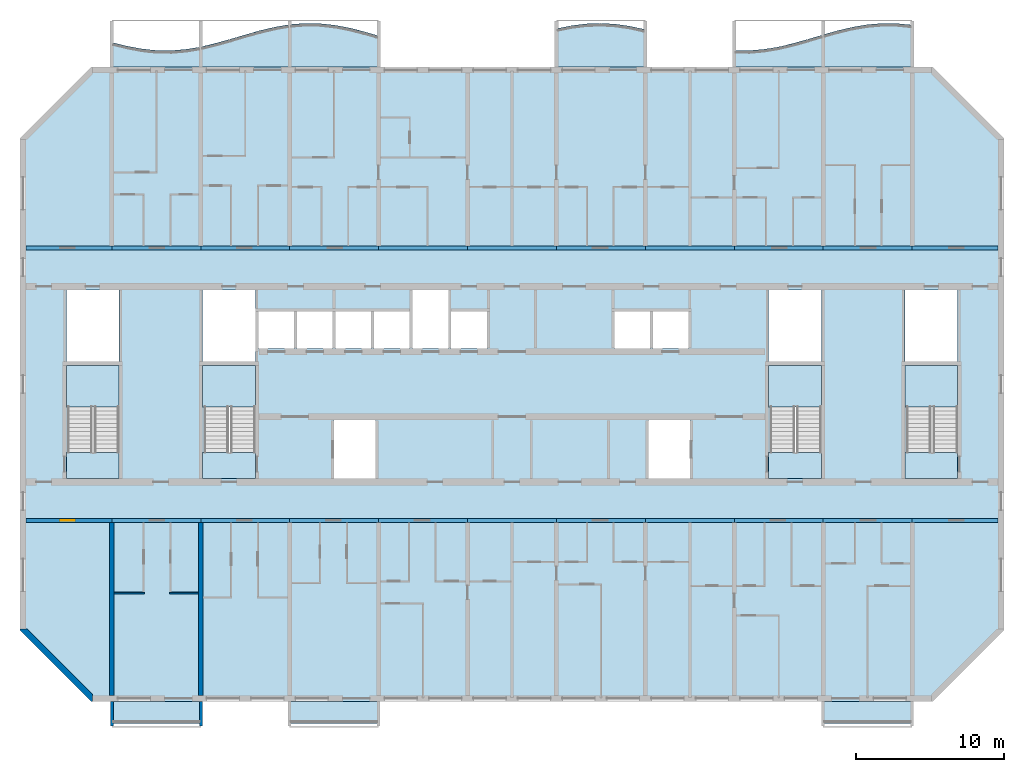
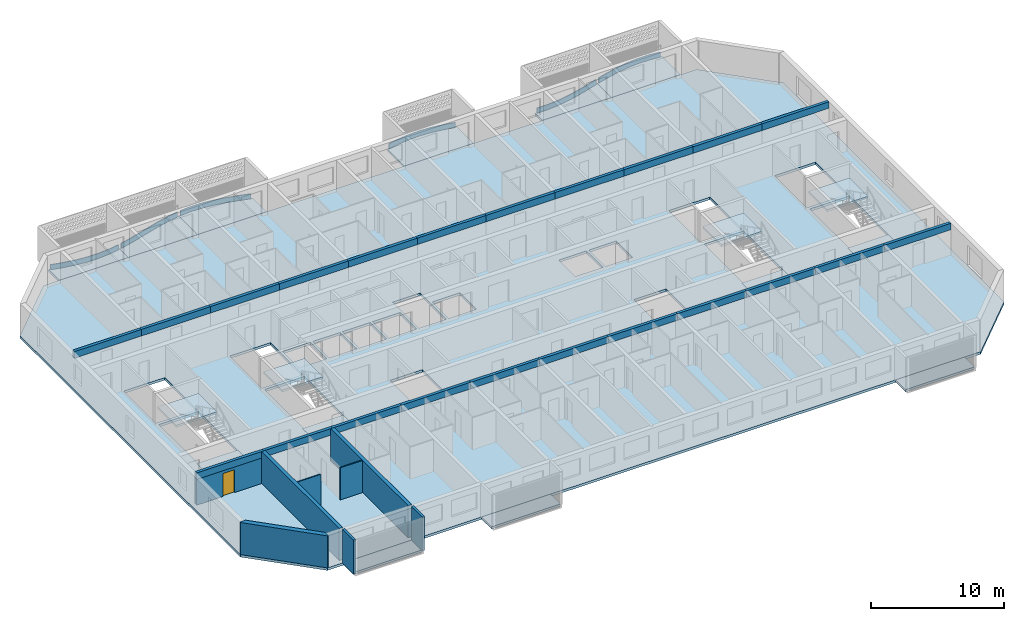
# One storey, part 1 of 26: 22 beams, 18 slabs, 8 walls, 6 plates, 1 door, 1 opening, 4 elements without a shape of their own.
"""IFC4 building model written with IfcOpenShell, lengths in metres."""

import ifcopenshell
import ifcopenshell.guid

model = None  # the IFC model being written
_history = None  # IfcOwnerHistory: only IFC2X3 demands one
_inside = {}  # id of a spatial element -> (the spatial element, [elements in it])
_under = {}  # id of a project, library or spatial element -> (it, [spatial elements below it])
_declared = {}  # id of a project -> (the project, [libraries it declares])
_typed = {}  # id of a type object -> (the type object, [elements of that type])
_made_of = {}  # id of a material, layer set ... -> (it, [elements and type objects made of it])


def new_model(schema):
    """Start an empty IFC model of exactly this schema.

    Asked for "IFC4X3", IfcOpenShell would pick the latest addendum, in which some entities
    have other attributes; the version numbers below select the first issue.
    IFC2X3 requires an IfcOwnerHistory on every rooted entity: one is made here for all.
    """
    global model, _history
    if schema == "IFC4X3":
        model = ifcopenshell.file(schema_version=(4, 3, 0, 0))
    else:
        model = ifcopenshell.file(schema=schema)
    _inside.clear()
    _under.clear()
    _declared.clear()
    _typed.clear()
    _made_of.clear()
    _history = None
    if model.schema == "IFC2X3":
        org = make("IfcOrganization", Name="unknown")
        user = make(
            "IfcPersonAndOrganization",
            ThePerson=make("IfcPerson", FamilyName="unknown"),
            TheOrganization=org,
        )
        app = make(
            "IfcApplication",
            ApplicationDeveloper=org,
            Version="unknown",
            ApplicationFullName="unknown",
            ApplicationIdentifier="unknown",
        )
        _history = make(
            "IfcOwnerHistory",
            OwningUser=user,
            OwningApplication=app,
            ChangeAction="ADDED",
            CreationDate=0,
        )
    return model


def make(cls, **values):
    """One entity of the class cls with the attributes given. An attribute that is None is left unset."""
    return model.create_entity(
        cls, **{name: value for name, value in values.items() if value is not None}
    )


def rooted(cls, **values):
    """An entity with a GlobalId (a new one), such as an element, a storey or a relation."""
    return make(cls, GlobalId=ifcopenshell.guid.new(), OwnerHistory=_history, **values)


def si_unit(unit_type, name, prefix=None):
    """IfcSIUnit, for example si_unit("LENGTHUNIT", "METRE", prefix="MILLI")."""
    return make("IfcSIUnit", UnitType=unit_type, Prefix=prefix, Name=name)


def assignment(units):
    """IfcUnitAssignment: the units of a project."""
    return None if units is None else make("IfcUnitAssignment", Units=units)


def point(xyz):
    """IfcCartesianPoint."""
    return None if xyz is None else make("IfcCartesianPoint", Coordinates=xyz)


def direction(xyz):
    """IfcDirection."""
    return None if xyz is None else make("IfcDirection", DirectionRatios=xyz)


def frame(location, z_axis=None, x_axis=None):
    """IfcAxis2Placement3D, a coordinate frame: its origin and axes. An axis left out is left unset."""
    return make(
        "IfcAxis2Placement3D",
        Location=point(location),
        Axis=direction(z_axis),
        RefDirection=direction(x_axis),
    )


def frame_2d(location, x_axis=None):
    """IfcAxis2Placement2D, a coordinate frame in the plane: its origin and x axis."""
    return make(
        "IfcAxis2Placement2D", Location=point(location), RefDirection=direction(x_axis)
    )


def origin():
    """The frame at (0, 0, 0) with its axes left unset."""
    return frame((0.0, 0.0, 0.0))


def origin_2d():
    """The frame at (0, 0) in the plane with its x axis left unset."""
    return frame_2d((0.0, 0.0))


def place(relative_to, where):
    """IfcLocalPlacement: puts the frame where relative to a parent placement (None: the world)."""
    return make(
        "IfcLocalPlacement", PlacementRelTo=relative_to, RelativePlacement=where
    )


def context(
    kind, dimensions, precision=None, world=None, true_north=None, identifier=None
):
    """IfcGeometricRepresentationContext, for example the 3D "Model" context."""
    return make(
        "IfcGeometricRepresentationContext",
        ContextIdentifier=identifier,
        ContextType=kind,
        CoordinateSpaceDimension=dimensions,
        Precision=precision,
        WorldCoordinateSystem=world,
        TrueNorth=true_north,
    )


def subcontext(parent, identifier, kind, view, scale=None):
    """IfcGeometricRepresentationSubContext, for example "Body" below "Model"."""
    return make(
        "IfcGeometricRepresentationSubContext",
        ContextIdentifier=identifier,
        ContextType=kind,
        ParentContext=parent,
        TargetScale=scale,
        TargetView=view,
    )


def project(units=None, contexts=None):
    """IfcProject with its units and contexts."""
    return rooted(
        "IfcProject",
        Name="project",
        RepresentationContexts=contexts,
        UnitsInContext=assignment(units),
    )


def spatial(cls, under=None, at=None, **own):
    """A site, building, storey or space (cls), placed at a placement, below another one or the project."""
    s = rooted(cls, ObjectPlacement=at, **own)
    if under is not None:
        _under.setdefault(under.id(), (under, []))[1].append(s)
    return s


def polyline(points):
    """IfcPolyline through the points."""
    return make("IfcPolyline", Points=[point(p) for p in points])


def profile(cls, at=None, kind="AREA", **sizes):
    """A parametric profile (cls). Its sizes go by their IFC names, for example OverallWidth=200.0."""
    return make(cls, ProfileType=kind, Position=at, **sizes)


def rectangle(**sizes):
    """IfcRectangleProfileDef."""
    return profile("IfcRectangleProfileDef", **sizes)


def outline(outer, holes=None, kind="AREA"):
    """IfcArbitraryClosedProfileDef: a profile drawn as a closed curve; with holes, ...WithVoids."""
    if holes is None:
        return make("IfcArbitraryClosedProfileDef", ProfileType=kind, OuterCurve=outer)
    return make(
        "IfcArbitraryProfileDefWithVoids",
        ProfileType=kind,
        OuterCurve=outer,
        InnerCurves=holes,
    )


def extrude(swept, where, along, depth):
    """IfcExtrudedAreaSolid: the profile swept, set in the frame where, extruded along a direction by depth."""
    return make(
        "IfcExtrudedAreaSolid",
        SweptArea=swept,
        Position=where,
        ExtrudedDirection=direction(along),
        Depth=depth,
    )


def shape(context_of_items, identifier, shape_type, items):
    """IfcShapeRepresentation: the items that make up one representation, for example the "Body"."""
    return make(
        "IfcShapeRepresentation",
        ContextOfItems=context_of_items,
        RepresentationIdentifier=identifier,
        RepresentationType=shape_type,
        Items=items,
    )


def source(mapping_origin, context_of_items, identifier, shape_type, items):
    """IfcRepresentationMap: a shape defined once, which mapped items show again and again."""
    return make(
        "IfcRepresentationMap",
        MappingOrigin=mapping_origin,
        MappedRepresentation=shape(context_of_items, identifier, shape_type, items),
    )


def transform(
    local_origin,
    x_axis=None,
    y_axis=None,
    z_axis=None,
    scale=None,
    scale2=None,
    scale3=None,
    uniform=True,
):
    """IfcCartesianTransformationOperator3D, or its non-uniform kind. x_axis, y_axis, z_axis: its Axis1, 2, 3."""
    if uniform:
        return make(
            "IfcCartesianTransformationOperator3D",
            Axis1=direction(x_axis),
            Axis2=direction(y_axis),
            LocalOrigin=point(local_origin),
            Scale=scale,
            Axis3=direction(z_axis),
        )
    return make(
        "IfcCartesianTransformationOperator3DnonUniform",
        Axis1=direction(x_axis),
        Axis2=direction(y_axis),
        LocalOrigin=point(local_origin),
        Scale=scale,
        Axis3=direction(z_axis),
        Scale2=scale2,
        Scale3=scale3,
    )


def mapped(mapping_source, mapping_target):
    """IfcMappedItem: shows the shape of a source again, moved by a transform."""
    return make(
        "IfcMappedItem", MappingSource=mapping_source, MappingTarget=mapping_target
    )


def material(Name=None, Category=None):
    """IfcMaterial."""
    return make("IfcMaterial", Name=Name, Category=Category)


def layer(
    of_material, thickness, ventilated=None, Name=None, Category=None, Priority=None
):
    """IfcMaterialLayer: one layer of a wall or slab, of a material (None: an air gap)."""
    return make(
        "IfcMaterialLayer",
        Material=of_material,
        LayerThickness=thickness,
        IsVentilated=ventilated,
        Name=Name,
        Category=Category,
        Priority=Priority,
    )


def layer_set(layers, Name=None):
    """IfcMaterialLayerSet."""
    return make("IfcMaterialLayerSet", MaterialLayers=layers, LayerSetName=Name)


def material_profile(
    of_material, cross_section, Name=None, Category=None, Priority=None
):
    """IfcMaterialProfile: a cross section and its material."""
    return make(
        "IfcMaterialProfile",
        Name=Name,
        Material=of_material,
        Profile=cross_section,
        Priority=Priority,
        Category=Category,
    )


def profile_set(profiles, Name=None, composite=None):
    """IfcMaterialProfileSet."""
    return make(
        "IfcMaterialProfileSet",
        Name=Name,
        MaterialProfiles=profiles,
        CompositeProfile=composite,
    )


def made_of(thing, what):
    """Note that an element or type object is made of a material, layer set ...; save() writes the relation."""
    if what is not None:
        _made_of.setdefault(what.id(), (what, []))[1].append(thing)
    return thing


def type_object(cls, material=None, **own):
    """A type object (cls), such as IfcWallType, which elements share."""
    return made_of(rooted(cls, **own), material)


def element(
    cls,
    number,
    at=None,
    inside=None,
    cuts=None,
    type_object=None,
    material=None,
    context=None,
    identifier="Body",
    shape_type=None,
    held_by="IfcProductDefinitionShape",
    body=None,
    shapes=None,
    **own,
):
    """One element of the class cls, such as IfcWall. Its Tag is "e" and its number.

    at: its placement. inside: the storey or other place that contains it. cuts: it is an
    opening in that element (IfcRelVoidsElement). A single representation is given by context,
    identifier, shape_type and body (its items); several are given by shapes. held_by: the class
    of the entity that holds the representations. save() writes the other relations.
    """
    e = rooted(cls, Tag="e%d" % number, ObjectPlacement=at, **own)
    if body is not None:
        shapes = [shape(context, identifier, shape_type, body)]
    if shapes is not None:
        e.Representation = make(held_by, Representations=shapes)
    if inside is not None:
        _inside.setdefault(inside.id(), (inside, []))[1].append(e)
    if cuts is not None:
        rooted(
            "IfcRelVoidsElement", RelatingBuildingElement=cuts, RelatedOpeningElement=e
        )
    if type_object is not None:
        _typed.setdefault(type_object.id(), (type_object, []))[1].append(e)
    return made_of(e, material)


def fill(opening, filler):
    """IfcRelFillsElement: the door or window that sits in an opening."""
    return rooted(
        "IfcRelFillsElement",
        RelatingOpeningElement=opening,
        RelatedBuildingElement=filler,
    )


def aggregate(whole, parts):
    """IfcRelAggregates: a whole, such as a stair, and the parts it consists of."""
    return rooted("IfcRelAggregates", RelatingObject=whole, RelatedObjects=parts)


def save(model, path):
    """Write the relations noted so far, then the file.

    IfcRelAggregates (storeys below a building ...), IfcRelContainedInSpatialStructure (elements
    in a storey), IfcRelDefinesByType, IfcRelAssociatesMaterial and IfcRelDeclares: one each for
    every whole, place, type object, material and project.
    """
    for whole, parts in _under.values():
        aggregate(whole, parts)
    for where, things in _inside.values():
        rooted(
            "IfcRelContainedInSpatialStructure",
            RelatedElements=things,
            RelatingStructure=where,
        )
    for kind, things in _typed.values():
        rooted("IfcRelDefinesByType", RelatedObjects=things, RelatingType=kind)
    for what, things in _made_of.values():
        rooted("IfcRelAssociatesMaterial", RelatedObjects=things, RelatingMaterial=what)
    for by, libraries in _declared.values():
        rooted("IfcRelDeclares", RelatingContext=by, RelatedDefinitions=libraries)
    model.write(path)


model = new_model("IFC4")

# Units and contexts
model_context = context("Model", 3, precision=1e-05, world=origin(), true_north=direction((0.0, 1.0)))
body_context = subcontext(model_context, "Body", "Model", "MODEL_VIEW")
ifc_project = project(units=[si_unit("LENGTHUNIT", "METRE"), si_unit("AREAUNIT", "SQUARE_METRE"), si_unit("VOLUMEUNIT", "CUBIC_METRE"), si_unit("PLANEANGLEUNIT", "RADIAN"), si_unit("MASSUNIT", "GRAM", prefix="KILO")], contexts=[model_context])

# Site, building, storey
site_placement = place(None, origin())
site = spatial("IfcSite", under=ifc_project, at=site_placement, CompositionType="ELEMENT")
building_placement = place(site_placement, origin())
building = spatial("IfcBuilding", under=site, at=building_placement, Name="Poui Terraces", CompositionType="ELEMENT")
storey_placement = place(building_placement, frame((0.0, 0.0, 162.0)))
storey = spatial("IfcBuildingStorey", under=building, at=storey_placement, Name="L45", CompositionType="ELEMENT", Elevation=162.0)

# Beams
ifc_material_1 = material(Name="Concrete 65 MPa", Category="concrete")
ifc_material_profile = material_profile(ifc_material_1, rectangle(XDim=0.25, YDim=0.60009765625, at=origin_2d()), Name="RC 250x600")
ifc_profile_set = profile_set([ifc_material_profile], Name="Concrete 65 MPa")
beam_type = type_object("IfcBeamType", Name="COUPLING BEAM 250x600 65MPa", PredefinedType="BEAM", material=ifc_profile_set)
shared_shape_1 = source(origin(), body_context, "Body", "SweptSolid", [
    extrude(rectangle(XDim=0.25, YDim=0.60009765625, at=origin_2d()), origin(), (0.0, 0.0, 1.0), 5.800048828125),
])
for number, where, z_axis, x_axis, name in (
    (1, (18.199951171875, 12.0, 2.64990234375), (1.0, 0.0, 0.0), (0.0, 1.0, 0.0), "COUPLING BEAM LINE B BAY 1"),
    (2, (78.0, 12.0, 2.64990234375), (1.0, 0.0, 0.0), (0.0, 1.0, 0.0), "COUPLING BEAM LINE B BAY 11"),
    (3, (18.199951171875, 30.39990234375, 2.64990234375), (1.0, 0.0, 0.0), (0.0, 1.0, 0.0), "COUPLING BEAM LINE E BAY 1"),
    (4, (78.0, 30.39990234375, 2.64990234375), (1.0, 0.0, 0.0), (0.0, 1.0, 0.0), "COUPLING BEAM LINE E BAY 11"),
):
    element("IfcBeam", number, at=place(storey_placement, frame(where, z_axis=z_axis, x_axis=x_axis)), inside=storey, type_object=beam_type, Name=name, PredefinedType="BEAM", context=body_context, shape_type="MappedRepresentation", body=[
        mapped(shared_shape_1, transform((0.0, 0.0, 0.0))),
    ])
shared_shape_2 = source(origin(), body_context, "Body", "SweptSolid", [
    extrude(rectangle(XDim=0.25, YDim=0.60009765625, at=origin_2d()), origin(), (0.0, 0.0, 1.0), 6.0),
])
for number, where, z_axis, x_axis, name in (
    (5, (24.0, 12.0, 2.64990234375), (1.0, 0.0, 0.0), (0.0, 1.0, 0.0), "COUPLING BEAM LINE B BAY 2"),
    (6, (30.0, 12.0, 2.64990234375), (1.0, 0.0, 0.0), (0.0, 1.0, 0.0), "COUPLING BEAM LINE B BAY 3"),
    (7, (36.0, 12.0, 2.64990234375), (1.0, 0.0, 0.0), (0.0, 1.0, 0.0), "COUPLING BEAM LINE B BAY 4"),
    (8, (42.0, 12.0, 2.64990234375), (1.0, 0.0, 0.0), (0.0, 1.0, 0.0), "COUPLING BEAM LINE B BAY 5"),
    (9, (48.0, 12.0, 2.64990234375), (1.0, 0.0, 0.0), (0.0, 1.0, 0.0), "COUPLING BEAM LINE B BAY 6"),
    (10, (54.0, 12.0, 2.64990234375), (1.0, 0.0, 0.0), (0.0, 1.0, 0.0), "COUPLING BEAM LINE B BAY 7"),
    (11, (60.0, 12.0, 2.64990234375), (1.0, 0.0, 0.0), (0.0, 1.0, 0.0), "COUPLING BEAM LINE B BAY 8"),
    (12, (66.0, 12.0, 2.64990234375), (1.0, 0.0, 0.0), (0.0, 1.0, 0.0), "COUPLING BEAM LINE B BAY 9"),
    (13, (72.0, 12.0, 2.64990234375), (1.0, 0.0, 0.0), (0.0, 1.0, 0.0), "COUPLING BEAM LINE B BAY 10"),
    (14, (24.0, 30.39990234375, 2.64990234375), (1.0, 0.0, 0.0), (0.0, 1.0, 0.0), "COUPLING BEAM LINE E BAY 2"),
    (15, (30.0, 30.39990234375, 2.64990234375), (1.0, 0.0, 0.0), (0.0, 1.0, 0.0), "COUPLING BEAM LINE E BAY 3"),
    (16, (36.0, 30.39990234375, 2.64990234375), (1.0, 0.0, 0.0), (0.0, 1.0, 0.0), "COUPLING BEAM LINE E BAY 4"),
    (17, (42.0, 30.39990234375, 2.64990234375), (1.0, 0.0, 0.0), (0.0, 1.0, 0.0), "COUPLING BEAM LINE E BAY 5"),
    (18, (48.0, 30.39990234375, 2.64990234375), (1.0, 0.0, 0.0), (0.0, 1.0, 0.0), "COUPLING BEAM LINE E BAY 6"),
    (19, (54.0, 30.39990234375, 2.64990234375), (1.0, 0.0, 0.0), (0.0, 1.0, 0.0), "COUPLING BEAM LINE E BAY 7"),
    (20, (60.0, 30.39990234375, 2.64990234375), (1.0, 0.0, 0.0), (0.0, 1.0, 0.0), "COUPLING BEAM LINE E BAY 8"),
    (21, (66.0, 30.39990234375, 2.64990234375), (1.0, 0.0, 0.0), (0.0, 1.0, 0.0), "COUPLING BEAM LINE E BAY 9"),
    (22, (72.0, 30.39990234375, 2.64990234375), (1.0, 0.0, 0.0), (0.0, 1.0, 0.0), "COUPLING BEAM LINE E BAY 10"),
):
    element("IfcBeam", number, at=place(storey_placement, frame(where, z_axis=z_axis, x_axis=x_axis)), inside=storey, type_object=beam_type, Name=name, PredefinedType="BEAM", context=body_context, shape_type="MappedRepresentation", body=[
        mapped(shared_shape_2, transform((0.0, 0.0, 0.0))),
    ])

# Slabs
ifc_material_2 = material(Name="Precast concrete 40 MPa", Category="concrete")
ifc_layer_1 = layer(ifc_material_2, 0.199951171875)
ifc_layer_set_1 = layer_set([ifc_layer_1], Name="Precast concrete 40 MPa")
slab_type_1 = type_object("IfcSlabType", Name="BALCONY SLAB 200", PredefinedType="FLOOR", material=ifc_layer_set_1)
slab_1_placement = place(storey_placement, frame((0.0, 0.0, -0.2001953125)))
element("IfcSlab", 23, at=slab_1_placement, inside=storey, type_object=slab_type_1, Name="BALCONY SLAB", PredefinedType="FLOOR", context=body_context, shape_type="SweptSolid", body=[
    extrude(outline(polyline([(24.0, 42.60009765625), (30.0, 42.60009765625), (30.0, 43.9580078125), (29.0, 43.789306640625), (28.0, 43.706787109375), (27.0, 43.71875), (26.0, 43.823974609375), (25.0, 44.01171875), (24.0, 44.262451171875), (24.0, 42.60009765625)])), origin(), (0.0, 0.0, 1.0), 0.2001953125),
])
slab_2_placement = place(storey_placement, frame((0.0, 0.0, -0.2001953125)))
element("IfcSlab", 24, at=slab_2_placement, inside=storey, type_object=slab_type_1, Name="BALCONY SLAB", PredefinedType="FLOOR", context=body_context, shape_type="SweptSolid", body=[
    extrude(outline(polyline([(30.0, 42.60009765625), (36.0, 42.60009765625), (36.0, 45.460693359375), (35.0, 45.2919921875), (34.0, 45.054931640625), (33.0, 44.7734375), (32.0, 44.4765625), (31.0, 44.195068359375), (30.0, 43.9580078125), (30.0, 42.60009765625)])), origin(), (0.0, 0.0, 1.0), 0.2001953125),
])
slab_3_placement = place(storey_placement, frame((0.0, 0.0, -0.2001953125)))
element("IfcSlab", 25, at=slab_3_placement, inside=storey, type_object=slab_type_1, Name="BALCONY SLAB", PredefinedType="FLOOR", context=body_context, shape_type="SweptSolid", body=[
    extrude(outline(polyline([(36.0, 42.60009765625), (42.0, 42.60009765625), (42.0, 44.699462890625), (41.0, 44.987548828125), (40.0, 45.23828125), (39.0, 45.426025390625), (38.0, 45.53125), (37.0, 45.543212890625), (36.0, 45.460693359375), (36.0, 42.60009765625)])), origin(), (0.0, 0.0, 1.0), 0.2001953125),
])
slab_4_placement = place(storey_placement, frame((0.0, 0.0, -0.2001953125)))
element("IfcSlab", 26, at=slab_4_placement, inside=storey, type_object=slab_type_1, Name="BALCONY SLAB", PredefinedType="FLOOR", context=body_context, shape_type="SweptSolid", body=[
    extrude(outline(polyline([(54.0, 42.60009765625), (60.0, 42.60009765625), (60.0, 45.119384765625), (59.0, 45.341552734375), (58.0, 45.489990234375), (57.0, 45.54931640625), (56.0, 45.513427734375), (55.0, 45.38623046875), (54.0, 45.1806640625), (54.0, 42.60009765625)])), origin(), (0.0, 0.0, 1.0), 0.2001953125),
])
slab_5_placement = place(storey_placement, frame((0.0, 0.0, -0.2001953125)))
element("IfcSlab", 27, at=slab_5_placement, inside=storey, type_object=slab_type_1, Name="BALCONY SLAB", PredefinedType="FLOOR", context=body_context, shape_type="SweptSolid", body=[
    extrude(outline(polyline([(66.0, 42.60009765625), (72.0, 42.60009765625), (72.0, 44.7734375), (71.0, 44.4765625), (70.0, 44.195068359375), (69.0, 43.9580078125), (68.0, 43.789306640625), (67.0, 43.706787109375), (66.0, 43.71875), (66.0, 42.60009765625)])), origin(), (0.0, 0.0, 1.0), 0.2001953125),
])
slab_6_placement = place(storey_placement, frame((0.0, 0.0, -0.2001953125)))
element("IfcSlab", 28, at=slab_6_placement, inside=storey, type_object=slab_type_1, Name="BALCONY SLAB", PredefinedType="FLOOR", context=body_context, shape_type="SweptSolid", body=[
    extrude(outline(polyline([(72.0, 42.60009765625), (78.0, 42.60009765625), (78.0, 45.426025390625), (77.0, 45.53125), (76.0, 45.543212890625), (75.0, 45.460693359375), (74.0, 45.2919921875), (73.0, 45.054931640625), (72.0, 44.7734375), (72.0, 42.60009765625)])), origin(), (0.0, 0.0, 1.0), 0.2001953125),
])

# Stair, slabs
stair_type = type_object("IfcStairType", Name="EXIT STAIR 1650 65 MPA", PredefinedType="HALF_TURN_STAIR", material=ifc_material_1)
stair_1_placement = place(storey_placement, origin())
stair_1 = element("IfcStair", 29, at=stair_1_placement, inside=storey, type_object=stair_type, Name="L45 CORE STAIR EAST", PredefinedType="HALF_TURN_STAIR")
ifc_layer_2 = layer(ifc_material_1, 0.199951171875)
ifc_layer_set_2 = layer_set([ifc_layer_2], Name="Concrete 65 MPa")
slab_type_2 = type_object("IfcSlabType", Name="STAIR LANDING 200 65 MPA", PredefinedType="LANDING", material=ifc_layer_set_2)
slab_7_placement = place(storey_placement, frame((0.0, 0.0, 1.449951171875)))
slab_7 = element("IfcSlab", 30, at=slab_7_placement, type_object=slab_type_2, Name="ST-CE landing 1", PredefinedType="LANDING", context=body_context, shape_type="SweptSolid", body=[
    extrude(outline(polyline([(68.324951171875, 19.679931640625), (71.875, 19.679931640625), (71.875, 22.47509765625), (68.324951171875, 22.47509765625), (68.324951171875, 19.679931640625)])), origin(), (0.0, 0.0, 1.0), 0.199951171875),
])
slab_8_placement = place(storey_placement, frame((0.0, 0.0, -0.2001953125)))
slab_8 = element("IfcSlab", 31, at=slab_8_placement, type_object=slab_type_2, Name="ST-CE landing 2", PredefinedType="LANDING", context=body_context, shape_type="SweptSolid", body=[
    extrude(outline(polyline([(68.324951171875, 14.824951171875), (71.875, 14.824951171875), (71.875, 16.60009765625), (68.324951171875, 16.60009765625), (68.324951171875, 14.824951171875)])), origin(), (0.0, 0.0, 1.0), 0.2001953125),
])
aggregate(stair_1, [slab_7, slab_8])

stair_2_placement = place(storey_placement, origin())
stair_2 = element("IfcStair", 32, at=stair_2_placement, inside=storey, type_object=stair_type, Name="L45 CORE STAIR WEST", PredefinedType="HALF_TURN_STAIR")
slab_9_placement = place(storey_placement, frame((0.0, 0.0, 1.449951171875)))
slab_9 = element("IfcSlab", 33, at=slab_9_placement, type_object=slab_type_2, Name="ST-CW landing 1", PredefinedType="LANDING", context=body_context, shape_type="SweptSolid", body=[
    extrude(outline(polyline([(30.125, 19.679931640625), (33.675048828125, 19.679931640625), (33.675048828125, 22.47509765625), (30.125, 22.47509765625), (30.125, 19.679931640625)])), origin(), (0.0, 0.0, 1.0), 0.199951171875),
])
slab_10_placement = place(storey_placement, frame((0.0, 0.0, -0.2001953125)))
slab_10 = element("IfcSlab", 34, at=slab_10_placement, type_object=slab_type_2, Name="ST-CW landing 2", PredefinedType="LANDING", context=body_context, shape_type="SweptSolid", body=[
    extrude(outline(polyline([(30.125, 14.824951171875), (33.675048828125, 14.824951171875), (33.675048828125, 16.60009765625), (30.125, 16.60009765625), (30.125, 14.824951171875)])), origin(), (0.0, 0.0, 1.0), 0.2001953125),
])
aggregate(stair_2, [slab_9, slab_10])

stair_3_placement = place(storey_placement, origin())
stair_3 = element("IfcStair", 35, at=stair_3_placement, inside=storey, type_object=stair_type, Name="L45 TIP STAIR EAST", PredefinedType="HALF_TURN_STAIR")
slab_11_placement = place(storey_placement, frame((0.0, 0.0, 1.449951171875)))
slab_11 = element("IfcSlab", 36, at=slab_11_placement, type_object=slab_type_2, Name="ST-E landing 1", PredefinedType="LANDING", context=body_context, shape_type="SweptSolid", body=[
    extrude(outline(polyline([(77.52490234375, 19.679931640625), (81.074951171875, 19.679931640625), (81.074951171875, 22.47509765625), (77.52490234375, 22.47509765625), (77.52490234375, 19.679931640625)])), origin(), (0.0, 0.0, 1.0), 0.199951171875),
])
slab_12_placement = place(storey_placement, frame((0.0, 0.0, -0.2001953125)))
slab_12 = element("IfcSlab", 37, at=slab_12_placement, type_object=slab_type_2, Name="ST-E landing 2", PredefinedType="LANDING", context=body_context, shape_type="SweptSolid", body=[
    extrude(outline(polyline([(77.52490234375, 14.824951171875), (81.074951171875, 14.824951171875), (81.074951171875, 16.60009765625), (77.52490234375, 16.60009765625), (77.52490234375, 14.824951171875)])), origin(), (0.0, 0.0, 1.0), 0.2001953125),
])
aggregate(stair_3, [slab_11, slab_12])

stair_4_placement = place(storey_placement, origin())
stair_4 = element("IfcStair", 38, at=stair_4_placement, inside=storey, type_object=stair_type, Name="L45 TIP STAIR WEST", PredefinedType="HALF_TURN_STAIR")
slab_13_placement = place(storey_placement, frame((0.0, 0.0, 1.449951171875)))
slab_13 = element("IfcSlab", 39, at=slab_13_placement, type_object=slab_type_2, Name="ST-W landing 1", PredefinedType="LANDING", context=body_context, shape_type="SweptSolid", body=[
    extrude(outline(polyline([(20.925048828125, 19.679931640625), (24.47509765625, 19.679931640625), (24.47509765625, 22.47509765625), (20.925048828125, 22.47509765625), (20.925048828125, 19.679931640625)])), origin(), (0.0, 0.0, 1.0), 0.199951171875),
])
slab_14_placement = place(storey_placement, frame((0.0, 0.0, -0.2001953125)))
slab_14 = element("IfcSlab", 40, at=slab_14_placement, type_object=slab_type_2, Name="ST-W landing 2", PredefinedType="LANDING", context=body_context, shape_type="SweptSolid", body=[
    extrude(outline(polyline([(20.925048828125, 14.824951171875), (24.47509765625, 14.824951171875), (24.47509765625, 16.60009765625), (20.925048828125, 16.60009765625), (20.925048828125, 14.824951171875)])), origin(), (0.0, 0.0, 1.0), 0.2001953125),
])
aggregate(stair_4, [slab_13, slab_14])

# Plates
ifc_layer_3 = layer(ifc_material_2, 0.080078125)
ifc_layer_set_3 = layer_set([ifc_layer_3], Name="Precast concrete 40 MPa")
plate_type = type_object("IfcPlateType", Name="SUNSHADE UPSTAND 80", PredefinedType="SHEET", material=ifc_layer_set_3)
plate_1_placement = place(storey_placement, origin())
element("IfcPlate", 41, at=plate_1_placement, inside=storey, type_object=plate_type, Name="SUNSHADE UPSTAND", PredefinedType="SHEET", context=body_context, shape_type="SweptSolid", body=[
    extrude(outline(polyline([(25.008544921875, 44.005615234375), (24.134521484375, 44.222412109375), (24.115478515625, 44.14453125), (24.991455078125, 43.927490234375), (25.994140625, 43.7392578125), (26.997802734375, 43.6337890625), (28.00146484375, 43.62158203125), (29.0048828125, 43.70458984375), (29.881591796875, 43.84814453125), (29.868408203125, 43.927001953125), (28.9951171875, 43.783935546875), (27.99853515625, 43.701904296875), (27.002197265625, 43.713623046875), (26.005859375, 43.818603515625), (25.008544921875, 44.005615234375)])), origin(), (0.0, 0.0, 1.0), 0.449951171875),
])
plate_2_placement = place(storey_placement, origin())
element("IfcPlate", 42, at=plate_2_placement, inside=storey, type_object=plate_type, Name="SUNSHADE UPSTAND", PredefinedType="SHEET", context=body_context, shape_type="SweptSolid", body=[
    extrude(outline(polyline([(30.989990234375, 44.188720703125), (30.115478515625, 43.97802734375), (30.134521484375, 43.900390625), (31.010009765625, 44.111328125), (32.010986328125, 44.393310546875), (33.010986328125, 44.68994140625), (34.010009765625, 44.97119140625), (35.008056640625, 45.2080078125), (35.8818359375, 45.359619140625), (35.8681640625, 45.4384765625), (34.991943359375, 45.286376953125), (33.989990234375, 45.048583984375), (32.989013671875, 44.766845703125), (31.989013671875, 44.469970703125), (30.989990234375, 44.188720703125)])), origin(), (0.0, 0.0, 1.0), 0.449951171875),
])
plate_3_placement = place(storey_placement, origin())
element("IfcPlate", 43, at=plate_3_placement, inside=storey, type_object=plate_type, Name="SUNSHADE UPSTAND", PredefinedType="SHEET", context=body_context, shape_type="SweptSolid", body=[
    extrude(outline(polyline([(36.998779296875, 45.538330078125), (36.140380859375, 45.472412109375), (36.121826171875, 45.470703125), (36.128173828125, 45.39111328125), (37.001220703125, 45.458251953125), (37.997802734375, 45.4462890625), (38.994140625, 45.341552734375), (39.991455078125, 45.154296875), (40.989501953125, 44.90380859375), (41.864013671875, 44.653076171875), (41.885986328125, 44.72998046875), (41.010498046875, 44.981201171875), (40.008544921875, 45.232421875), (39.005859375, 45.420654296875), (38.002197265625, 45.5263671875), (36.998779296875, 45.538330078125)])), origin(), (0.0, 0.0, 1.0), 0.449951171875),
])
plate_4_placement = place(storey_placement, origin())
element("IfcPlate", 44, at=plate_4_placement, inside=storey, type_object=plate_type, Name="SUNSHADE UPSTAND", PredefinedType="SHEET", context=body_context, shape_type="SweptSolid", body=[
    extrude(outline(polyline([(54.993408203125, 45.380859375), (54.1171875, 45.2041015625), (54.1328125, 45.125732421875), (55.006591796875, 45.3017578125), (56.003173828125, 45.4287109375), (56.99951171875, 45.464111328125), (57.995849609375, 45.405029296875), (58.992919921875, 45.257080078125), (59.866455078125, 45.06640625), (59.883544921875, 45.14453125), (59.007080078125, 45.3359375), (58.004150390625, 45.484619140625), (57.00048828125, 45.544189453125), (55.996826171875, 45.50830078125), (54.993408203125, 45.380859375)])), origin(), (0.0, 0.0, 1.0), 0.449951171875),
])
plate_5_placement = place(storey_placement, origin())
element("IfcPlate", 45, at=plate_5_placement, inside=storey, type_object=plate_type, Name="SUNSHADE UPSTAND", PredefinedType="SHEET", context=body_context, shape_type="SweptSolid", body=[
    extrude(outline(polyline([(66.99853515625, 43.701904296875), (66.125244140625, 43.70703125), (66.124755859375, 43.626953125), (67.00146484375, 43.62158203125), (68.0048828125, 43.70458984375), (69.008056640625, 43.873779296875), (70.010009765625, 44.111328125), (71.010986328125, 44.393310546875), (71.886474609375, 44.6533203125), (71.863525390625, 44.729736328125), (70.989013671875, 44.469970703125), (69.989990234375, 44.18896484375), (68.991943359375, 43.9521484375), (67.9951171875, 43.783935546875), (66.99853515625, 43.701904296875)])), origin(), (0.0, 0.0, 1.0), 0.449951171875),
])
plate_6_placement = place(storey_placement, origin())
element("IfcPlate", 46, at=plate_6_placement, inside=storey, type_object=plate_type, Name="SUNSHADE UPSTAND", PredefinedType="SHEET", context=body_context, shape_type="SweptSolid", body=[
    extrude(outline(polyline([(72.989990234375, 45.048583984375), (72.1142578125, 44.803466796875), (72.1357421875, 44.7265625), (73.010009765625, 44.97119140625), (74.008056640625, 45.2080078125), (75.0048828125, 45.3759765625), (76.00146484375, 45.458251953125), (76.997802734375, 45.4462890625), (77.87109375, 45.359130859375), (77.87890625, 45.438720703125), (77.871826171875, 45.439697265625), (77.002197265625, 45.5263671875), (75.99853515625, 45.538330078125), (74.9951171875, 45.455322265625), (73.991943359375, 45.286376953125), (72.989990234375, 45.048583984375)])), origin(), (0.0, 0.0, 1.0), 0.449951171875),
])

# Slabs
ifc_material_3 = material(Name="Concrete 40 MPa", Category="concrete")
ifc_layer_4 = layer(ifc_material_3, 0.22998046875)
ifc_layer_set_4 = layer_set([ifc_layer_4], Name="Concrete 40 MPa")
slab_type_3 = type_object("IfcSlabType", Name="FLOOR SLAB 230", PredefinedType="FLOOR", material=ifc_layer_set_4)
shared_shape_3 = source(origin(), body_context, "Body", "SweptSolid", [
    extrude(outline(polyline([(0.0, 0.0), (4.800048828125, -4.800048828125), (61.599853515625, -4.800048828125), (66.39990234375, 0.0), (66.39990234375, 33.199951171875), (61.599853515625, 38.0), (4.800048828125, 38.0), (0.0, 33.199951171875), (0.0, 0.0)]), holes=[polyline([(21.199951171875, 10.224853515625), (21.199951171875, 14.1748046875), (24.0, 14.1748046875), (24.0, 10.224853515625), (21.199951171875, 10.224853515625)]), polyline([(3.224853515625, 17.849853515625), (6.675048828125, 17.849853515625), (6.675048828125, 12.0), (6.675048828125, 10.224853515625), (3.125, 10.224853515625), (3.125, 12.0), (3.224853515625, 12.0), (3.224853515625, 17.849853515625)]), polyline([(12.425048828125, 17.849853515625), (15.875, 17.849853515625), (15.875, 12.0), (15.875, 10.224853515625), (12.324951171875, 10.224853515625), (12.324951171875, 12.0), (12.425048828125, 12.0), (12.425048828125, 17.849853515625)]), polyline([(16.099853515625, 19.02490234375), (16.099853515625, 21.5), (18.5, 21.5), (18.5, 19.02490234375), (16.099853515625, 19.02490234375)]), polyline([(18.699951171875, 19.02490234375), (18.699951171875, 21.5), (21.099853515625, 21.5), (21.099853515625, 19.02490234375), (18.699951171875, 19.02490234375)]), polyline([(21.300048828125, 19.02490234375), (21.300048828125, 21.5), (23.699951171875, 21.5), (23.699951171875, 19.02490234375), (21.300048828125, 19.02490234375)]), polyline([(23.89990234375, 19.02490234375), (23.89990234375, 21.5), (26.300048828125, 21.5), (26.300048828125, 19.02490234375), (23.89990234375, 19.02490234375)]), polyline([(3.125, 22.974853515625), (6.675048828125, 22.974853515625), (6.675048828125, 18.125), (3.125, 18.125), (3.125, 22.974853515625)]), polyline([(12.324951171875, 22.974853515625), (15.875, 22.974853515625), (15.875, 18.125), (12.324951171875, 18.125), (12.324951171875, 22.974853515625)]), polyline([(42.39990234375, 10.224853515625), (42.39990234375, 14.1748046875), (45.199951171875, 14.1748046875), (45.199951171875, 10.224853515625), (42.39990234375, 10.224853515625)]), polyline([(50.625, 17.849853515625), (54.074951171875, 17.849853515625), (54.074951171875, 12.0), (54.074951171875, 10.224853515625), (50.52490234375, 10.224853515625), (50.52490234375, 12.0), (50.625, 12.0), (50.625, 17.849853515625)]), polyline([(59.824951171875, 17.849853515625), (63.27490234375, 17.849853515625), (63.27490234375, 12.0), (63.27490234375, 10.224853515625), (59.724853515625, 10.224853515625), (59.724853515625, 12.0), (59.824951171875, 12.0), (59.824951171875, 17.849853515625)]), polyline([(29.099853515625, 19.02490234375), (29.099853515625, 21.5), (31.5, 21.5), (31.5, 19.02490234375), (29.099853515625, 19.02490234375)]), polyline([(40.099853515625, 19.02490234375), (40.099853515625, 21.5), (42.5, 21.5), (42.5, 19.02490234375), (40.099853515625, 19.02490234375)]), polyline([(42.699951171875, 19.02490234375), (42.699951171875, 21.5), (45.099853515625, 21.5), (45.099853515625, 19.02490234375), (42.699951171875, 19.02490234375)]), polyline([(50.52490234375, 18.125), (50.52490234375, 22.974853515625), (54.074951171875, 22.974853515625), (54.074951171875, 18.125), (50.52490234375, 18.125)]), polyline([(59.724853515625, 22.974853515625), (63.27490234375, 22.974853515625), (63.27490234375, 18.125), (59.724853515625, 18.125), (59.724853515625, 22.974853515625)]), polyline([(26.5, 22.974853515625), (28.89990234375, 22.974853515625), (28.89990234375, 19.02490234375), (26.5, 19.02490234375), (26.5, 22.974853515625)])]), origin(), (0.0, 0.0, 1.0), 0.230224609375),
])
slab_15_placement = place(storey_placement, frame((17.800048828125, 4.60009765625, -0.230224609375)))
element("IfcSlab", 47, at=slab_15_placement, inside=storey, type_object=slab_type_3, Name="FLOOR SLAB", PredefinedType="FLOOR", context=body_context, shape_type="MappedRepresentation", body=[
    mapped(shared_shape_3, transform((0.0, 0.0, 0.0))),
])
ifc_layer_5 = layer(ifc_material_2, 0.199951171875)
ifc_layer_set_5 = layer_set([ifc_layer_5], Name="Precast concrete 40 MPa")
slab_type_4 = type_object("IfcSlabType", Name="REAR BALCONY SLAB 200", PredefinedType="FLOOR", material=ifc_layer_set_5)
shared_shape_4 = source(origin(), body_context, "Body", "SweptSolid", [
    extrude(outline(polyline([(0.0, 0.0), (6.0, 0.0), (6.0, 1.5), (0.0, 1.5), (0.0, 0.0)])), origin(), (0.0, 0.0, 1.0), 0.2001953125),
])
for number, where, name in (
    (48, (24.0, -1.699951171875, -0.2001953125), "REAR BALCONY SLAB"),
    (49, (36.0, -1.699951171875, -0.2001953125), "REAR BALCONY SLAB"),
    (50, (72.0, -1.699951171875, -0.2001953125), "REAR BALCONY SLAB"),
):
    element("IfcSlab", number, at=place(storey_placement, frame(where)), inside=storey, type_object=slab_type_4, Name=name, PredefinedType="FLOOR", context=body_context, shape_type="MappedRepresentation", body=[
        mapped(shared_shape_4, transform((0.0, 0.0, 0.0))),
    ])

# Wall, opening, door
ifc_layer_6 = layer(ifc_material_1, 0.25)
ifc_layer_set_6 = layer_set([ifc_layer_6], Name="Concrete 65 MPa")
wall_type_1 = type_object("IfcWallType", Name="CORRIDOR WALL 250 65MPa", PredefinedType="SHEAR", material=ifc_layer_set_6)
wall_1_placement = place(storey_placement, frame((18.199951171875, 12.0, 0.0), z_axis=(0.0, 0.0, 1.0), x_axis=(1.0, 0.0, 0.0)))
wall_1 = element("IfcWall", 51, at=wall_1_placement, inside=storey, type_object=wall_type_1, Name="CORRIDOR WALL LINE B BAY 1", PredefinedType="SHEAR", context=body_context, shape_type="SweptSolid", body=[
    extrude(rectangle(XDim=5.800048828125, YDim=0.25, at=frame_2d((2.89990234375, 0.0))), origin(), (0.0, 0.0, 1.0), 2.35009765625),
])
opening_placement = place(wall_1_placement, frame((2.300048828125, 0.0, 0.0)))
opening = element("IfcOpeningElement", 52, at=opening_placement, cuts=wall_1, Name="Opening D100", PredefinedType="OPENING", context=body_context, shape_type="SweptSolid", body=[
    extrude(rectangle(XDim=1.0, YDim=2.10009765625, at=frame_2d((0.5, 1.050048828125))), frame((0.0, 0.135009765625, 0.0), z_axis=(0.0, -1.0, 0.0), x_axis=(1.0, 0.0, 0.0)), (0.0, 0.0, 1.0), 0.27001953125),
])
ifc_material_4 = material(Name="Solid core timber door", Category="wood")
door_type = type_object("IfcDoorType", Name="ACCESSIBLE INTERNAL DOOR 1000 X 2100", OperationType="NOTDEFINED", PredefinedType="DOOR", material=ifc_material_4)
door_placement = place(opening_placement, frame((1.0, 0.0, 0.0), z_axis=(0.0, 0.0, 1.0), x_axis=(-1.0, 0.0, 0.0)))
door = element("IfcDoor", 53, at=door_placement, inside=storey, type_object=door_type, Name="ACCESSIBLE INTERNAL DOOR 060", OperationType="SINGLE_SWING_RIGHT", OverallHeight=2.10009765625, OverallWidth=1.0, PredefinedType="DOOR", context=body_context, shape_type="SweptSolid", body=[
    extrude(rectangle(XDim=1.0, YDim=2.10009765625, at=frame_2d((0.5, 1.050048828125))), frame((0.0, 0.02490234375, 0.0), z_axis=(0.0, -1.0, 0.0), x_axis=(1.0, 0.0, 0.0)), (0.0, 0.0, 1.0), 0.050048828125),
])
fill(opening, door)

# Walls
ifc_layer_7 = layer(ifc_material_1, 0.300048828125)
ifc_layer_set_7 = layer_set([ifc_layer_7], Name="Concrete 65 MPa")
wall_type_2 = type_object("IfcWallType", Name="CROSS WALL 300 65MPa", PredefinedType="SHEAR", material=ifc_layer_set_7)
for number, where, z_axis, x_axis, name in (
    (54, (24.0, 0.199951171875, 0.0), (0.0, 0.0, 1.0), (0.0, 1.0, 0.0), "CROSS WALL LINE 5 SOUTH"),
    (55, (30.0, 0.199951171875, 0.0), (0.0, 0.0, 1.0), (0.0, 1.0, 0.0), "CROSS WALL LINE 6 SOUTH"),
):
    element("IfcWall", number, at=place(storey_placement, frame(where, z_axis=z_axis, x_axis=x_axis)), inside=storey, type_object=wall_type_2, Name=name, PredefinedType="SHEAR", context=body_context, shape_type="SweptSolid", body=[
        extrude(rectangle(XDim=11.675048828125, YDim=0.300048828125, at=frame_2d((5.83740234375, 0.0))), origin(), (0.0, 0.0, 1.0), 2.949951171875),
    ])
ifc_material_5 = material(Name="Plasterboard partition")
ifc_layer_8 = layer(ifc_material_5, 0.10009765625)
ifc_layer_set_8 = layer_set([ifc_layer_8], Name="Plasterboard partition")
wall_type_3 = type_object("IfcWallType", Name="FLAT PARTITION 100", PredefinedType="PARTITIONING", material=ifc_layer_set_8)
wall_2_placement = place(storey_placement, frame((24.159912109375, 7.10009765625, 0.0), z_axis=(0.0, 0.0, 1.0), x_axis=(1.0, 0.0, 0.0)))
element("IfcWall", 56, at=wall_2_placement, inside=storey, type_object=wall_type_3, Name="FLAT PARTITION 100", PredefinedType="PARTITIONING", context=body_context, shape_type="SweptSolid", body=[
    extrude(rectangle(XDim=2.0400390625, YDim=0.10009765625, at=frame_2d((1.02001953125, 0.0))), origin(), (0.0, 0.0, 1.0), 2.949951171875),
])
wall_3_placement = place(storey_placement, frame((27.89990234375, 7.10009765625, 0.0), z_axis=(0.0, 0.0, 1.0), x_axis=(1.0, 0.0, 0.0)))
element("IfcWall", 57, at=wall_3_placement, inside=storey, type_object=wall_type_3, Name="FLAT PARTITION 100", PredefinedType="PARTITIONING", context=body_context, shape_type="SweptSolid", body=[
    extrude(rectangle(XDim=1.940185546875, YDim=0.10009765625, at=frame_2d((0.97021484375, 0.0))), origin(), (0.0, 0.0, 1.0), 2.949951171875),
])
ifc_layer_9 = layer(ifc_material_2, 0.39990234375)
ifc_layer_set_9 = layer_set([ifc_layer_9], Name="Precast concrete 40 MPa")
wall_type_4 = type_object("IfcWallType", Name="TERRACOTTA CLAD CHAMFER WALL 400", PredefinedType="STANDARD", material=ifc_layer_set_9)
wall_4_placement = place(storey_placement, origin())
element("IfcWall", 58, at=wall_4_placement, inside=storey, type_object=wall_type_4, Name="CHAMFER WALL CH07", PredefinedType="STANDARD", context=body_context, shape_type="SweptSolid", body=[
    extrude(outline(polyline([(17.800048828125, 4.682861328125), (17.800048828125, 4.60009765625), (22.60009765625, -0.199951171875), (22.682861328125, -0.199951171875), (22.682861328125, 0.28271484375), (18.28271484375, 4.682861328125), (17.800048828125, 4.682861328125)])), origin(), (0.0, 0.0, 1.0), 2.949951171875),
])
ifc_layer_10 = layer(ifc_material_2, 0.199951171875)
ifc_layer_set_10 = layer_set([ifc_layer_10], Name="Precast concrete 40 MPa")
wall_type_5 = type_object("IfcWallType", Name="REAR FIN 200", PredefinedType="STANDARD", material=ifc_layer_set_10)
shared_shape_5 = source(origin(), body_context, "Body", "SweptSolid", [
    extrude(outline(polyline([(0.0, 0.0), (0.2001953125, 0.0), (0.2001953125, 1.650146484375), (0.0, 1.650146484375), (0.0, 0.0)])), origin(), (0.0, 0.0, 1.0), 3.10009765625),
])
for number, where, name in (
    (59, (23.89990234375, -1.85009765625, 0.0), "REAR FIN"),
    (60, (29.89990234375, -1.85009765625, 0.0), "REAR FIN"),
):
    element("IfcWall", number, at=place(storey_placement, frame(where)), inside=storey, type_object=wall_type_5, Name=name, PredefinedType="STANDARD", context=body_context, shape_type="MappedRepresentation", body=[
        mapped(shared_shape_5, transform((0.0, 0.0, 0.0))),
    ])

save(model, "model.ifc")
